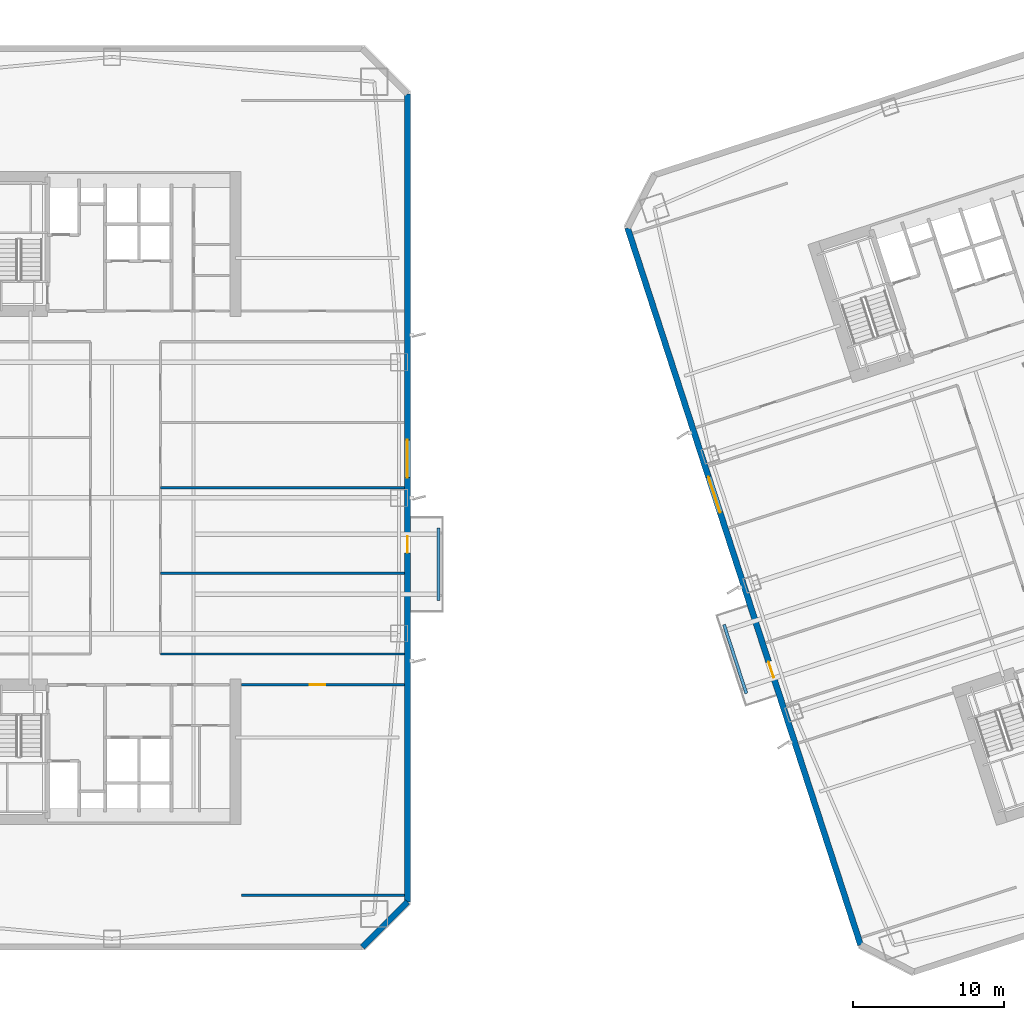
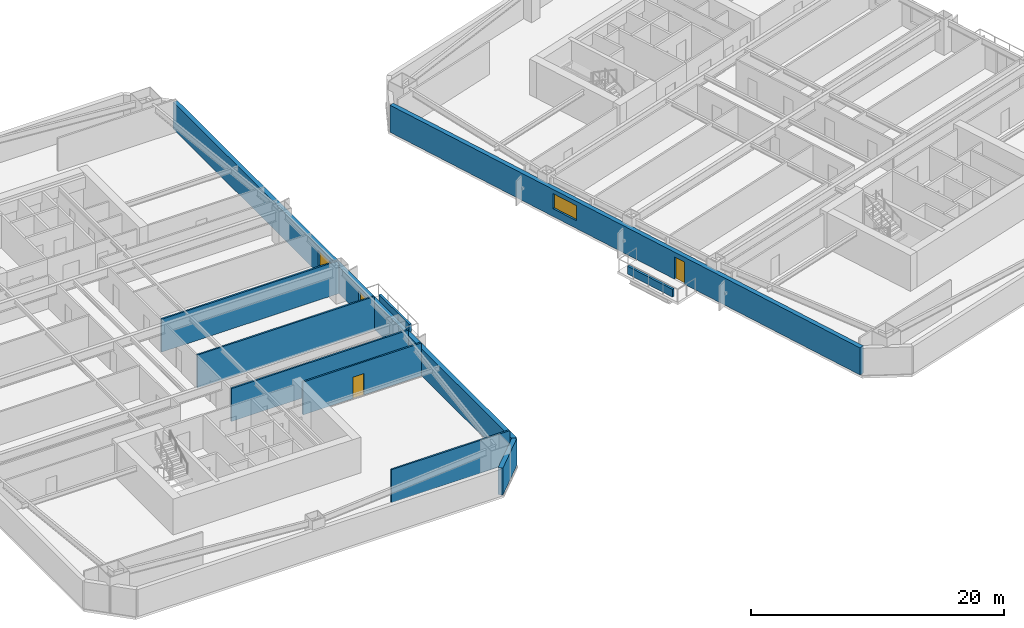
# One storey, part 5 of 18: 10 walls, 3 doors, 2 windows, 5 openings.
"""IFC4 building model written with IfcOpenShell, lengths in metres."""

from ifc_helpers import new_model, si_unit, direction, frame, frame_2d, origin, place, context, subcontext, project, spatial, rectangle, extrude, material, layer, layer_set, type_object, element, fill, save


model = new_model("IFC4")

# Units and contexts
model_context = context("Model", 3, precision=1e-05, world=origin(), true_north=direction((0.0, 1.0)))
body_context = subcontext(model_context, "Body", "Model", "MODEL_VIEW")
ifc_project = project(units=[si_unit("LENGTHUNIT", "METRE"), si_unit("AREAUNIT", "SQUARE_METRE"), si_unit("VOLUMEUNIT", "CUBIC_METRE"), si_unit("PLANEANGLEUNIT", "RADIAN"), si_unit("MASSUNIT", "GRAM", prefix="KILO")], contexts=[model_context])

# Site, building, storey
site_placement = place(None, origin())
site = spatial("IfcSite", under=ifc_project, at=site_placement, CompositionType="ELEMENT")
building_placement = place(site_placement, origin())
building = spatial("IfcBuilding", under=site, at=building_placement, Name="Qiaolan Cultural Towers", CompositionType="ELEMENT")
storey_placement = place(building_placement, frame((0.0, 0.0, 67.85009765625)))
storey = spatial("IfcBuildingStorey", under=building, at=storey_placement, Name="L16", CompositionType="ELEMENT", Elevation=67.85009765625)

# Wall, openings, door, window
ifc_material_1 = material(Name="Precast Concrete C50 Honed Stone Pier", Category="masonry")
ifc_layer_1 = layer(ifc_material_1, 0.39990234375)
ifc_layer_set_1 = layer_set([ifc_layer_1], Name="Precast Concrete C50 Honed Stone Pier")
wall_type_1 = type_object("IfcWallType", Name="WL-EXT-PIER-400", PredefinedType="SOLIDWALL", material=ifc_layer_set_1)
wall_1_placement = place(storey_placement, frame((49.60009765625, 60.800048828125, 0.0), z_axis=(0.0, 0.0, 1.0), x_axis=(0.0, -1.0, 0.0)))
wall_1 = element("IfcWall", 1, at=wall_1_placement, inside=storey, type_object=wall_type_1, Name="L16 West Tower Precast Pier Facade Wall F5", PredefinedType="SOLIDWALL", context=body_context, shape_type="SweptSolid", body=[
    extrude(rectangle(XDim=53.60009765625, YDim=0.39990234375, at=frame_2d((26.800048828125, 0.0))), origin(), (0.0, 0.0, 1.0), 2.60986328125),
])
opening_1_placement = place(wall_1_placement, frame((22.949951171875, 0.0, 0.75)))
opening_1 = element("IfcOpeningElement", 2, at=opening_1_placement, cuts=wall_1, Name="Opening W-01", PredefinedType="OPENING", context=body_context, shape_type="SweptSolid", body=[
    extrude(rectangle(XDim=2.5, YDim=1.4599609375, at=frame_2d((1.25, 0.72998046875))), frame((0.0, 0.2099609375, 0.0), z_axis=(0.0, -1.0, 0.0), x_axis=(1.0, 0.0, 0.0)), (0.0, 0.0, 1.0), 0.419921875),
])
opening_2_placement = place(wall_1_placement, frame((29.35009765625, 0.0, 0.0)))
opening_2 = element("IfcOpeningElement", 3, at=opening_2_placement, cuts=wall_1, Name="Opening BD-01", PredefinedType="OPENING", context=body_context, shape_type="SweptSolid", body=[
    extrude(rectangle(XDim=1.10009765625, YDim=2.14990234375, at=frame_2d((0.550048828125, 1.074951171875))), frame((0.0, 0.2099609375, 0.0), z_axis=(0.0, -1.0, 0.0), x_axis=(1.0, 0.0, 0.0)), (0.0, 0.0, 1.0), 0.419921875),
])
ifc_material_2 = material(Name="Thermally Broken Aluminium Glazed Terrace Door", Category="aluminium")
door_type_1 = type_object("IfcDoorType", Name="DR-BAL-1100", OperationType="NOTDEFINED", PredefinedType="DOOR", material=ifc_material_2)
door_1_placement = place(opening_2_placement, origin())
door_1 = element("IfcDoor", 4, at=door_1_placement, inside=storey, type_object=door_type_1, Name="L16 T1 East Tree Balcony Door", OperationType="SINGLE_SWING_RIGHT", OverallHeight=2.14990234375, OverallWidth=1.10009765625, PredefinedType="DOOR", context=body_context, shape_type="SweptSolid", body=[
    extrude(rectangle(XDim=1.10009765625, YDim=2.14990234375, at=frame_2d((0.550048828125, 1.074951171875))), frame((0.0, 0.02490234375, 0.0), z_axis=(0.0, -1.0, 0.0), x_axis=(1.0, 0.0, 0.0)), (0.0, 0.0, 1.0), 0.050048828125),
])
fill(opening_2, door_1)
ifc_material_3 = material(Name="Thermally Broken Aluminium Triple Low-E Glazing", Category="aluminium")
window_type = type_object("IfcWindowType", Name="WN-CHIC-2500", PartitioningType="SINGLE_PANEL", PredefinedType="WINDOW", material=ifc_material_3)
window_1_placement = place(opening_1_placement, origin())
window_1 = element("IfcWindow", 5, at=window_1_placement, inside=storey, type_object=window_type, Name="L16 T1 E Chicago Bay Window 1", OverallHeight=1.4599609375, OverallWidth=2.5, PartitioningType="TRIPLE_PANEL_VERTICAL", PredefinedType="WINDOW", context=body_context, shape_type="SweptSolid", body=[
    extrude(rectangle(XDim=2.5, YDim=1.4599609375, at=frame_2d((1.25, 0.72998046875))), frame((0.0, 0.030029296875, 0.0), z_axis=(0.0, -1.0, 0.0), x_axis=(1.0, 0.0, 0.0)), (0.0, 0.0, 1.0), 0.06005859375),
])
fill(opening_1, window_1)

# Wall
wall_2_placement = place(storey_placement, frame((49.60009765625, 7.199951171875, 0.0), z_axis=(0.0, 0.0, 1.0), x_axis=(-0.707106781187, -0.707106781187, 0.0)))
element("IfcWall", 6, at=wall_2_placement, inside=storey, type_object=wall_type_1, Name="L16 West Tower Precast Pier Facade Wall F6", PredefinedType="SOLIDWALL", context=body_context, shape_type="SweptSolid", body=[
    extrude(rectangle(XDim=4.24267578125, YDim=0.39990234375, at=frame_2d((2.121337890625, 0.0))), origin(), (0.0, 0.0, 1.0), 2.60986328125),
])

# Wall, openings, door, window
wall_3_placement = place(storey_placement, frame((79.6552734375, 4.352294921875, 0.0), z_axis=(0.0, 0.0, 1.0), x_axis=(-0.309014526607, 0.951057318118, 0.0)))
wall_3 = element("IfcWall", 7, at=wall_3_placement, inside=storey, type_object=wall_type_1, Name="L16 East Tower Precast Pier Facade Wall F1", PredefinedType="SOLIDWALL", context=body_context, shape_type="SweptSolid", body=[
    extrude(rectangle(XDim=49.999755859375, YDim=0.39990234375, at=frame_2d((25.0, 0.0))), origin(), (0.0, 0.0, 1.0), 2.60986328125),
])
opening_3_placement = place(wall_3_placement, frame((30.14990234375, 0.0, 0.75)))
opening_3 = element("IfcOpeningElement", 8, at=opening_3_placement, cuts=wall_3, Name="Opening W-01", PredefinedType="OPENING", context=body_context, shape_type="SweptSolid", body=[
    extrude(rectangle(XDim=2.5, YDim=1.4599609375, at=frame_2d((1.25, 0.72998046875))), frame((0.0, 0.2099609375, 0.0), z_axis=(0.0, -1.0, 0.0), x_axis=(1.0, 0.0, 0.0)), (0.0, 0.0, 1.0), 0.419921875),
])
opening_4_placement = place(wall_3_placement, frame((18.64990234375, 0.0, 0.0)))
opening_4 = element("IfcOpeningElement", 9, at=opening_4_placement, cuts=wall_3, Name="Opening BD-01", PredefinedType="OPENING", context=body_context, shape_type="SweptSolid", body=[
    extrude(rectangle(XDim=1.10009765625, YDim=2.14990234375, at=frame_2d((0.550048828125, 1.074951171875))), frame((0.0, 0.2099609375, 0.0), z_axis=(0.0, -1.0, 0.0), x_axis=(1.0, 0.0, 0.0)), (0.0, 0.0, 1.0), 0.419921875),
])
door_2_placement = place(opening_4_placement, origin())
door_2 = element("IfcDoor", 10, at=door_2_placement, inside=storey, type_object=door_type_1, Name="L16 T2 West Tree Balcony Door", OperationType="SINGLE_SWING_LEFT", OverallHeight=2.14990234375, OverallWidth=1.10009765625, PredefinedType="DOOR", context=body_context, shape_type="SweptSolid", body=[
    extrude(rectangle(XDim=1.10009765625, YDim=2.14990234375, at=frame_2d((0.550048828125, 1.074951171875))), frame((0.0, 0.02490234375, 0.0), z_axis=(0.0, -1.0, 0.0), x_axis=(1.0, 0.0, 0.0)), (0.0, 0.0, 1.0), 0.050048828125),
])
fill(opening_4, door_2)
window_2_placement = place(opening_3_placement, origin())
window_2 = element("IfcWindow", 11, at=window_2_placement, inside=storey, type_object=window_type, Name="L16 T2 W Chicago Bay Window 1", OverallHeight=1.4599609375, OverallWidth=2.5, PartitioningType="TRIPLE_PANEL_VERTICAL", PredefinedType="WINDOW", context=body_context, shape_type="SweptSolid", body=[
    extrude(rectangle(XDim=2.5, YDim=1.4599609375, at=frame_2d((1.25, 0.72998046875))), frame((0.0, 0.030029296875, 0.0), z_axis=(0.0, -1.0, 0.0), x_axis=(1.0, 0.0, 0.0)), (0.0, 0.0, 1.0), 0.06005859375),
])
fill(opening_3, window_2)

# Wall
ifc_material_4 = material(Name="Autoclaved Aerated Concrete Block B06", Category="concrete")
ifc_layer_2 = layer(ifc_material_4, 0.14990234375)
ifc_layer_set_2 = layer_set([ifc_layer_2], Name="Autoclaved Aerated Concrete Block B06")
wall_type_2 = type_object("IfcWallType", Name="WL-PART-150", PredefinedType="PARTITIONING", material=ifc_layer_set_2)
wall_4_placement = place(storey_placement, frame((38.60009765625, 7.64990234375, 0.0), z_axis=(0.0, 0.0, 1.0), x_axis=(1.0, 0.0, 0.0)))
element("IfcWall", 12, at=wall_4_placement, inside=storey, type_object=wall_type_2, Name="L16 T1 Flank Wall FLK-SE", PredefinedType="PARTITIONING", context=body_context, shape_type="SweptSolid", body=[
    extrude(rectangle(XDim=10.7998046875, YDim=0.14990234375, at=frame_2d((5.39990234375, 0.0))), origin(), (0.0, 0.0, 1.0), 3.1748046875),
])

# Wall, opening, door
wall_5_placement = place(storey_placement, frame((38.60009765625, 21.60009765625, 0.0), z_axis=(0.0, 0.0, 1.0), x_axis=(1.0, 0.0, 0.0)))
wall_5 = element("IfcWall", 13, at=wall_5_placement, inside=storey, type_object=wall_type_2, Name="L16 T1 Flank Front FLK-SE", PredefinedType="PARTITIONING", context=body_context, shape_type="SweptSolid", body=[
    extrude(rectangle(XDim=10.7998046875, YDim=0.14990234375, at=frame_2d((5.39990234375, 0.0))), origin(), (0.0, 0.0, 1.0), 3.1748046875),
])
opening_5_placement = place(wall_5_placement, frame((4.535888671875, 0.0, 0.0)))
opening_5 = element("IfcOpeningElement", 14, at=opening_5_placement, cuts=wall_5, Name="Opening ID-04", PredefinedType="OPENING", context=body_context, shape_type="SweptSolid", body=[
    extrude(rectangle(XDim=1.0, YDim=2.050048828125, at=frame_2d((0.5, 1.02490234375))), frame((0.0, 0.0849609375, 0.0), z_axis=(0.0, -1.0, 0.0), x_axis=(1.0, 0.0, 0.0)), (0.0, 0.0, 1.0), 0.169921875),
])
ifc_material_5 = material(Name="Oak Veneer Acoustic Office Door", Category="timber")
door_type_2 = type_object("IfcDoorType", Name="DR-INT-1000", OperationType="NOTDEFINED", PredefinedType="DOOR", material=ifc_material_5)
door_3_placement = place(opening_5_placement, origin())
door_3 = element("IfcDoor", 15, at=door_3_placement, inside=storey, type_object=door_type_2, Name="L16 T1 Corner Studio Door", OperationType="SINGLE_SWING_LEFT", OverallHeight=2.050048828125, OverallWidth=1.0, PredefinedType="DOOR", context=body_context, shape_type="SweptSolid", body=[
    extrude(rectangle(XDim=1.0, YDim=2.050048828125, at=frame_2d((0.5, 1.02490234375))), frame((0.0, 0.02490234375, 0.0), z_axis=(0.0, -1.0, 0.0), x_axis=(1.0, 0.0, 0.0)), (0.0, 0.0, 1.0), 0.050048828125),
])
fill(opening_5, door_3)

# Walls
for number, where, z_axis, x_axis, name in (
    (16, (33.22509765625, 23.64990234375, 0.0), (0.0, 0.0, 1.0), (1.0, 0.0, 0.0), "L16 T1 South Corridor Right Wall"),
    (17, (33.22509765625, 29.0, 0.0), (0.0, 0.0, 1.0), (1.0, 0.0, 0.0), "L16 T1 East Partition 1"),
    (18, (33.22509765625, 34.679931640625, 0.0), (0.0, 0.0, 1.0), (1.0, 0.0, 0.0), "L16 T1 East Partition 2"),
):
    element("IfcWall", number, at=place(storey_placement, frame(where, z_axis=z_axis, x_axis=x_axis)), inside=storey, type_object=wall_type_2, Name=name, PredefinedType="PARTITIONING", context=body_context, shape_type="SweptSolid", body=[
        extrude(rectangle(XDim=16.1748046875, YDim=0.14990234375, at=frame_2d((8.08740234375, 0.0))), origin(), (0.0, 0.0, 1.0), 3.1748046875),
    ])
ifc_material_6 = material(Name="Precast Concrete C45 Tree Planter Upstand", Category="concrete")
ifc_layer_3 = layer(ifc_material_6, 0.199951171875)
ifc_layer_set_3 = layer_set([ifc_layer_3], Name="Precast Concrete C45 Tree Planter Upstand")
wall_type_3 = type_object("IfcWallType", Name="WL-PLANTER-200", PredefinedType="PARAPET", material=ifc_layer_set_3)
wall_6_placement = place(storey_placement, frame((51.64990234375, 27.199951171875, 0.0), z_axis=(0.0, 0.0, 1.0), x_axis=(0.0, 1.0, 0.0)))
element("IfcWall", 19, at=wall_6_placement, inside=storey, type_object=wall_type_3, Name="L16 T1 Tree Balcony Soil Planter Box E", PredefinedType="PARAPET", context=body_context, shape_type="SweptSolid", body=[
    extrude(rectangle(XDim=4.800048828125, YDim=0.199951171875, at=frame_2d((2.39990234375, 0.0))), origin(), (0.0, 0.0, 1.0), 0.75),
])
wall_7_placement = place(storey_placement, frame((72.08154296875, 21.028076171875, 0.0), z_axis=(0.0, 0.0, 1.0), x_axis=(-0.30900096172, 0.951061725471, 0.0)))
element("IfcWall", 20, at=wall_7_placement, inside=storey, type_object=wall_type_3, Name="L16 T2 Tree Balcony Soil Planter Box W", PredefinedType="PARAPET", context=body_context, shape_type="SweptSolid", body=[
    extrude(rectangle(XDim=4.7998046875, YDim=0.199951171875, at=frame_2d((2.39990234375, 0.0))), origin(), (0.0, 0.0, 1.0), 0.75),
])

save(model, "model.ifc")
